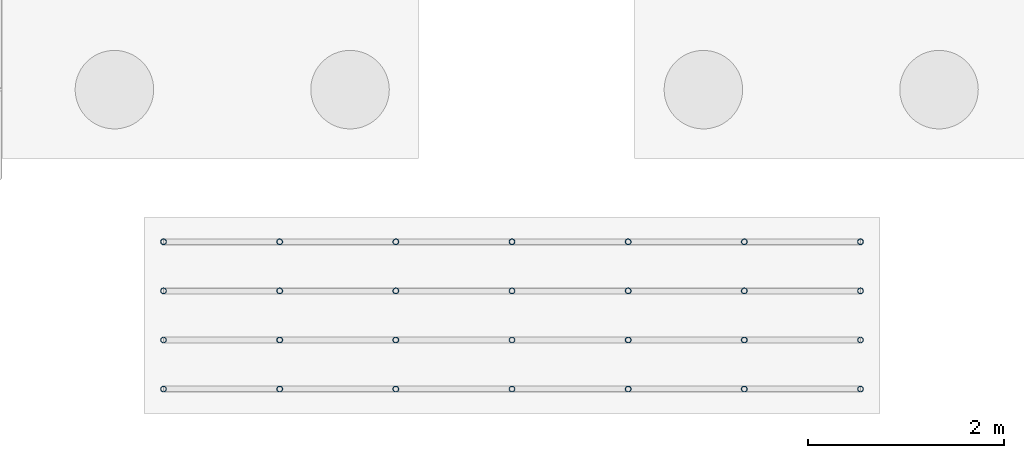
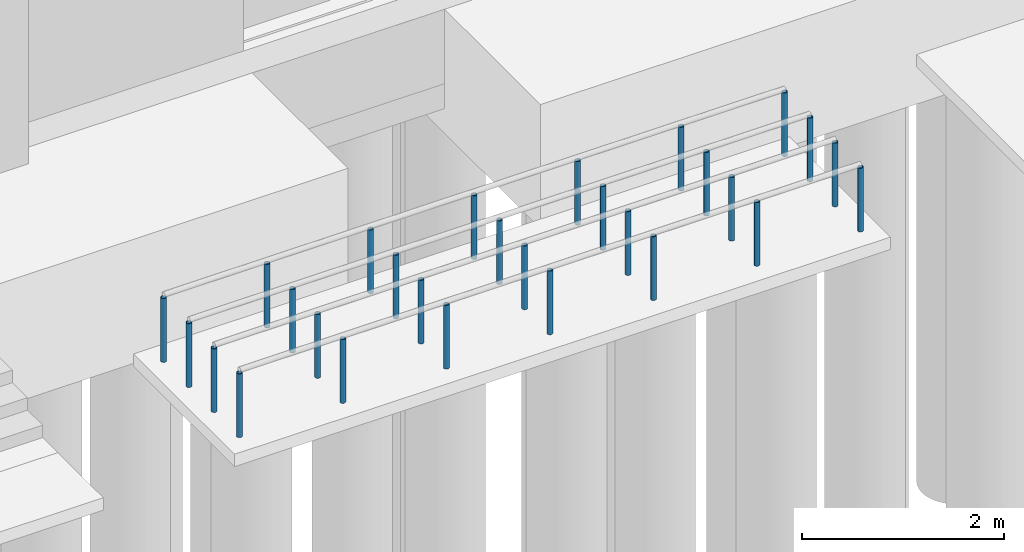
# One storey, part 34 of 129: 28 members.
"""IFC4 building model written with IfcOpenShell, lengths in metres."""

from ifc_helpers import new_model, si_unit, direction, frame, origin, origin_2d, place, context, subcontext, project, spatial, hollow_circle, extrude, material, material_profile, profile_set, type_object, element, save


model = new_model("IFC4")

# Units and contexts
model_context = context("Model", 3, precision=1e-05, world=origin(), true_north=direction((0.0, 1.0)))
body_context = subcontext(model_context, "Body", "Model", "MODEL_VIEW")
ifc_project = project(units=[si_unit("LENGTHUNIT", "METRE"), si_unit("AREAUNIT", "SQUARE_METRE"), si_unit("VOLUMEUNIT", "CUBIC_METRE"), si_unit("PLANEANGLEUNIT", "RADIAN"), si_unit("MASSUNIT", "GRAM", prefix="KILO")], contexts=[model_context])

# Site, building, storey
site_placement = place(None, origin())
site = spatial("IfcSite", under=ifc_project, at=site_placement, CompositionType="ELEMENT")
building_placement = place(site_placement, origin())
building = spatial("IfcBuilding", under=site, at=building_placement, Name="Kiln Court Media Centre", CompositionType="ELEMENT")
storey_placement = place(building_placement, origin())
storey = spatial("IfcBuildingStorey", under=building, at=storey_placement, Name="L00", CompositionType="ELEMENT", Elevation=0.0)

# Members
ifc_material = material(Name="Steel ASTM A500 Gr C", Category="steel")
ifc_material_profile = material_profile(ifc_material, hollow_circle(Radius=0.030029296875, WallThickness=0.00390625, at=origin_2d()), Name="CHS 60.3x4.0")
ifc_profile_set = profile_set([ifc_material_profile], Name="Steel ASTM A500 Gr C")
member_type = type_object("IfcMemberType", Name="Steel ASTM A500 Gr C cycle stand CHS 60.3x4.0", PredefinedType="USERDEFINED", material=ifc_profile_set)
for number, where, z_axis, x_axis, name in (
    (1, (50.89990234375, -4.25, -1.199951171875), (0.0, 0.0, 1.0), (1.0, 0.0, 0.0), "Cycle stand post 1.1"),
    (2, (52.083251953125, -4.25, -1.199951171875), (0.0, 0.0, 1.0), (1.0, 0.0, 0.0), "Cycle stand post 1.2"),
    (3, (53.2666015625, -4.25, -1.199951171875), (0.0, 0.0, 1.0), (1.0, 0.0, 0.0), "Cycle stand post 1.3"),
    (4, (54.449951171875, -4.25, -1.199951171875), (0.0, 0.0, 1.0), (1.0, 0.0, 0.0), "Cycle stand post 1.4"),
    (5, (55.63330078125, -4.25, -1.199951171875), (0.0, 0.0, 1.0), (1.0, 0.0, 0.0), "Cycle stand post 1.5"),
    (6, (56.816650390625, -4.25, -1.199951171875), (0.0, 0.0, 1.0), (1.0, 0.0, 0.0), "Cycle stand post 1.6"),
    (7, (58.0, -4.25, -1.199951171875), (0.0, 0.0, 1.0), (1.0, 0.0, 0.0), "Cycle stand post 1.7"),
    (8, (50.89990234375, -3.75, -1.199951171875), (0.0, 0.0, 1.0), (1.0, 0.0, 0.0), "Cycle stand post 2.1"),
    (9, (52.083251953125, -3.75, -1.199951171875), (0.0, 0.0, 1.0), (1.0, 0.0, 0.0), "Cycle stand post 2.2"),
    (10, (53.2666015625, -3.75, -1.199951171875), (0.0, 0.0, 1.0), (1.0, 0.0, 0.0), "Cycle stand post 2.3"),
    (11, (54.449951171875, -3.75, -1.199951171875), (0.0, 0.0, 1.0), (1.0, 0.0, 0.0), "Cycle stand post 2.4"),
    (12, (55.63330078125, -3.75, -1.199951171875), (0.0, 0.0, 1.0), (1.0, 0.0, 0.0), "Cycle stand post 2.5"),
    (13, (56.816650390625, -3.75, -1.199951171875), (0.0, 0.0, 1.0), (1.0, 0.0, 0.0), "Cycle stand post 2.6"),
    (14, (58.0, -3.75, -1.199951171875), (0.0, 0.0, 1.0), (1.0, 0.0, 0.0), "Cycle stand post 2.7"),
    (15, (50.89990234375, -3.25, -1.199951171875), (0.0, 0.0, 1.0), (1.0, 0.0, 0.0), "Cycle stand post 3.1"),
    (16, (52.083251953125, -3.25, -1.199951171875), (0.0, 0.0, 1.0), (1.0, 0.0, 0.0), "Cycle stand post 3.2"),
    (17, (53.2666015625, -3.25, -1.199951171875), (0.0, 0.0, 1.0), (1.0, 0.0, 0.0), "Cycle stand post 3.3"),
    (18, (54.449951171875, -3.25, -1.199951171875), (0.0, 0.0, 1.0), (1.0, 0.0, 0.0), "Cycle stand post 3.4"),
    (19, (55.63330078125, -3.25, -1.199951171875), (0.0, 0.0, 1.0), (1.0, 0.0, 0.0), "Cycle stand post 3.5"),
    (20, (56.816650390625, -3.25, -1.199951171875), (0.0, 0.0, 1.0), (1.0, 0.0, 0.0), "Cycle stand post 3.6"),
    (21, (58.0, -3.25, -1.199951171875), (0.0, 0.0, 1.0), (1.0, 0.0, 0.0), "Cycle stand post 3.7"),
    (22, (50.89990234375, -2.75, -1.199951171875), (0.0, 0.0, 1.0), (1.0, 0.0, 0.0), "Cycle stand post 4.1"),
    (23, (52.083251953125, -2.75, -1.199951171875), (0.0, 0.0, 1.0), (1.0, 0.0, 0.0), "Cycle stand post 4.2"),
    (24, (53.2666015625, -2.75, -1.199951171875), (0.0, 0.0, 1.0), (1.0, 0.0, 0.0), "Cycle stand post 4.3"),
    (25, (54.449951171875, -2.75, -1.199951171875), (0.0, 0.0, 1.0), (1.0, 0.0, 0.0), "Cycle stand post 4.4"),
    (26, (55.63330078125, -2.75, -1.199951171875), (0.0, 0.0, 1.0), (1.0, 0.0, 0.0), "Cycle stand post 4.5"),
    (27, (56.816650390625, -2.75, -1.199951171875), (0.0, 0.0, 1.0), (1.0, 0.0, 0.0), "Cycle stand post 4.6"),
    (28, (58.0, -2.75, -1.199951171875), (0.0, 0.0, 1.0), (1.0, 0.0, 0.0), "Cycle stand post 4.7"),
):
    element("IfcMember", number, at=place(storey_placement, frame(where, z_axis=z_axis, x_axis=x_axis)), inside=storey, type_object=member_type, Name=name, ObjectType="CYCLE STAND", PredefinedType="USERDEFINED", context=body_context, shape_type="SweptSolid", body=[
        extrude(hollow_circle(Radius=0.030029296875, WallThickness=0.00390625, at=origin_2d()), origin(), (0.0, 0.0, 1.0), 0.769775390625),
    ])

save(model, "model.ifc")
